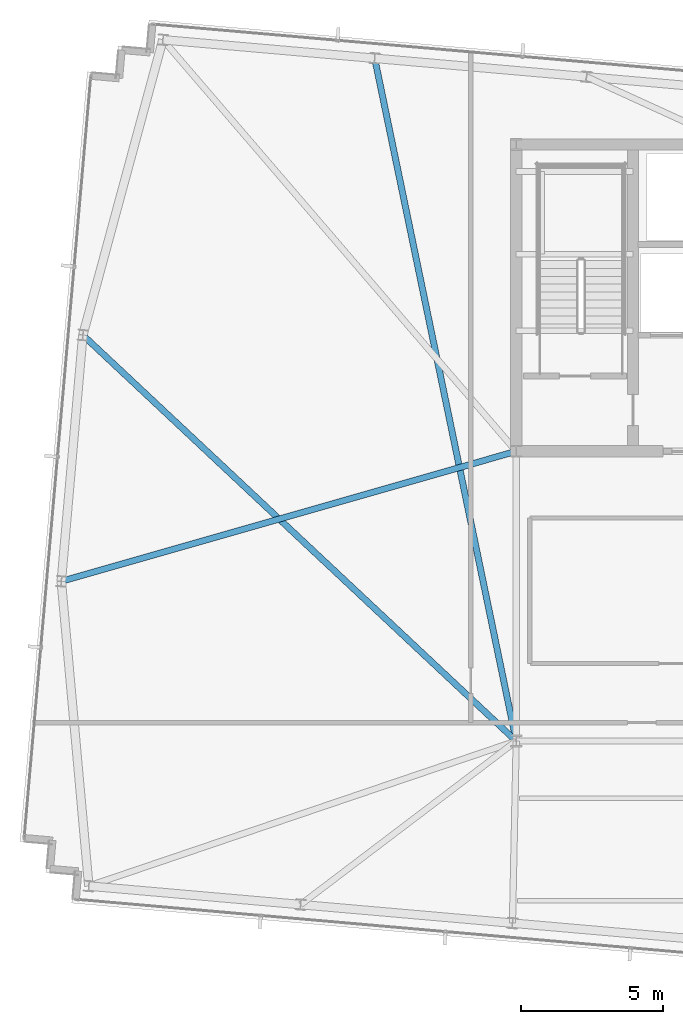
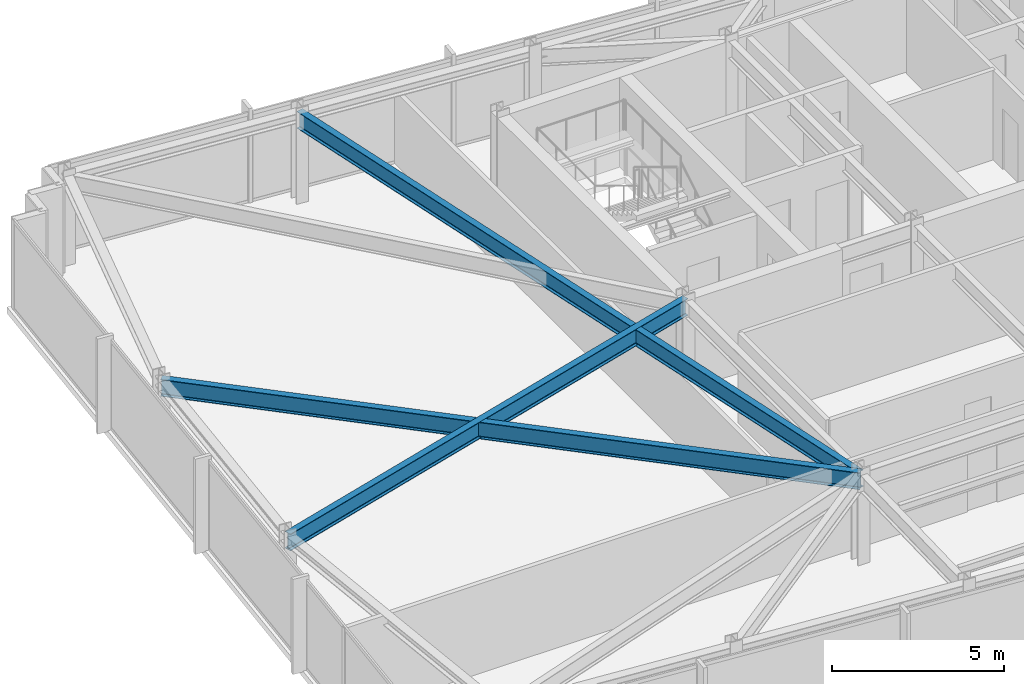
# One storey, part 10 of 32: 3 beams.
"""IFC4 building model written with IfcOpenShell, lengths in metres."""

from ifc_helpers import new_model, si_unit, direction, frame, origin, origin_2d, place, context, subcontext, project, spatial, i_section, extrude, material, material_profile, profile_set, type_object, element, save


model = new_model("IFC4")

# Units and contexts
model_context = context("Model", 3, precision=1e-05, world=origin(), true_north=direction((0.0, 1.0)))
body_context = subcontext(model_context, "Body", "Model", "MODEL_VIEW")
ifc_project = project(units=[si_unit("LENGTHUNIT", "METRE"), si_unit("AREAUNIT", "SQUARE_METRE"), si_unit("VOLUMEUNIT", "CUBIC_METRE"), si_unit("PLANEANGLEUNIT", "RADIAN"), si_unit("MASSUNIT", "GRAM", prefix="KILO")], contexts=[model_context])

# Site, building, storey
site_placement = place(None, origin())
site = spatial("IfcSite", under=ifc_project, at=site_placement, CompositionType="ELEMENT")
building_placement = place(site_placement, origin())
building = spatial("IfcBuilding", under=site, at=building_placement, Name="Yelkora Congress Tower", CompositionType="ELEMENT")
storey_placement = place(building_placement, frame((0.0, 0.0, 262.5)))
storey = spatial("IfcBuildingStorey", under=building, at=storey_placement, Name="L73", CompositionType="ELEMENT", Elevation=262.5)

# Beams
ifc_material = material(Name="Steel S355J2", Category="steel")
ifc_material_profile = material_profile(ifc_material, i_section(OverallWidth=0.219970703125, OverallDepth=0.60009765625, WebThickness=0.011962890625, FlangeThickness=0.01904296875, FilletRadius=0.02392578125, at=origin_2d()), Name="IPE 600")
ifc_profile_set = profile_set([ifc_material_profile], Name="Steel S355J2")
beam_type = type_object("IfcBeamType", Name="BM-GIRD-IPE600", PredefinedType="BEAM", material=ifc_profile_set)
beam_1_placement = place(storey_placement, frame((18.058837890625, 49.231689453125, 2.8798828125), z_axis=(0.202961834344, -0.979186649112, 0.0), x_axis=(0.979186649112, 0.202961834344, 0.0)))
element("IfcBeam", 1, at=beam_1_placement, inside=storey, type_object=beam_type, Name="L73 Primary Frame Girder N02", PredefinedType="BEAM", context=body_context, shape_type="SweptSolid", body=[
    extrude(i_section(OverallWidth=0.219970703125, OverallDepth=0.60009765625, WebThickness=0.011962890625, FlangeThickness=0.01904296875, FilletRadius=0.02392578125, at=origin_2d()), origin(), (0.0, 0.0, 1.0), 24.54248046875),
])
beam_2_placement = place(storey_placement, frame((7.029052734375, 30.822998046875, 2.8798828125), z_axis=(0.961486871307, 0.274850861932, 0.0), x_axis=(-0.274850861932, 0.961486871307, 0.0)))
element("IfcBeam", 2, at=beam_2_placement, inside=storey, type_object=beam_type, Name="L73 Primary Frame Girder W01", PredefinedType="BEAM", context=body_context, shape_type="SweptSolid", body=[
    extrude(i_section(OverallWidth=0.219970703125, OverallDepth=0.60009765625, WebThickness=0.011962890625, FlangeThickness=0.01904296875, FilletRadius=0.02392578125, at=origin_2d()), origin(), (0.0, 0.0, 1.0), 16.65234375),
])
beam_3_placement = place(storey_placement, frame((7.787353515625, 39.489990234375, 2.8798828125), z_axis=(0.729760461145, -0.683702910152, 0.0), x_axis=(0.683702910152, 0.729760461145, 0.0)))
element("IfcBeam", 3, at=beam_3_placement, inside=storey, type_object=beam_type, Name="L73 Primary Frame Girder W02", PredefinedType="BEAM", context=body_context, shape_type="SweptSolid", body=[
    extrude(i_section(OverallWidth=0.219970703125, OverallDepth=0.60009765625, WebThickness=0.011962890625, FlangeThickness=0.01904296875, FilletRadius=0.02392578125, at=origin_2d()), origin(), (0.0, 0.0, 1.0), 20.90087890625),
])

save(model, "model.ifc")
